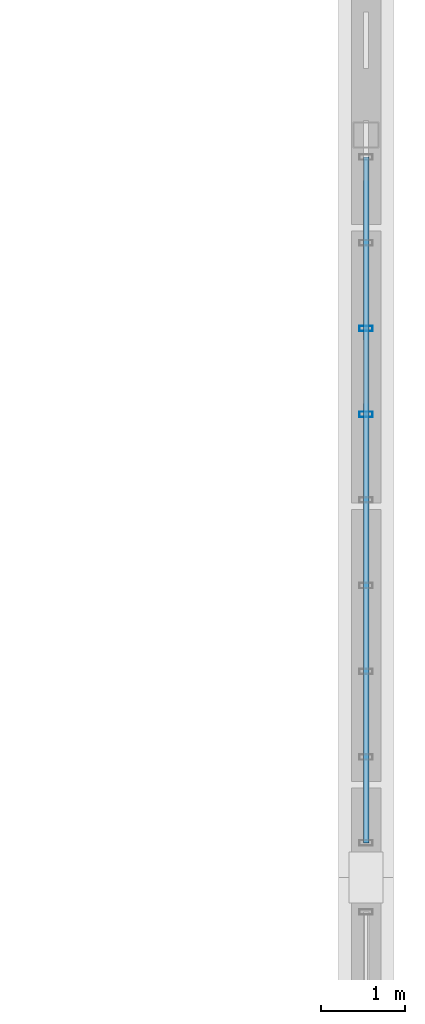
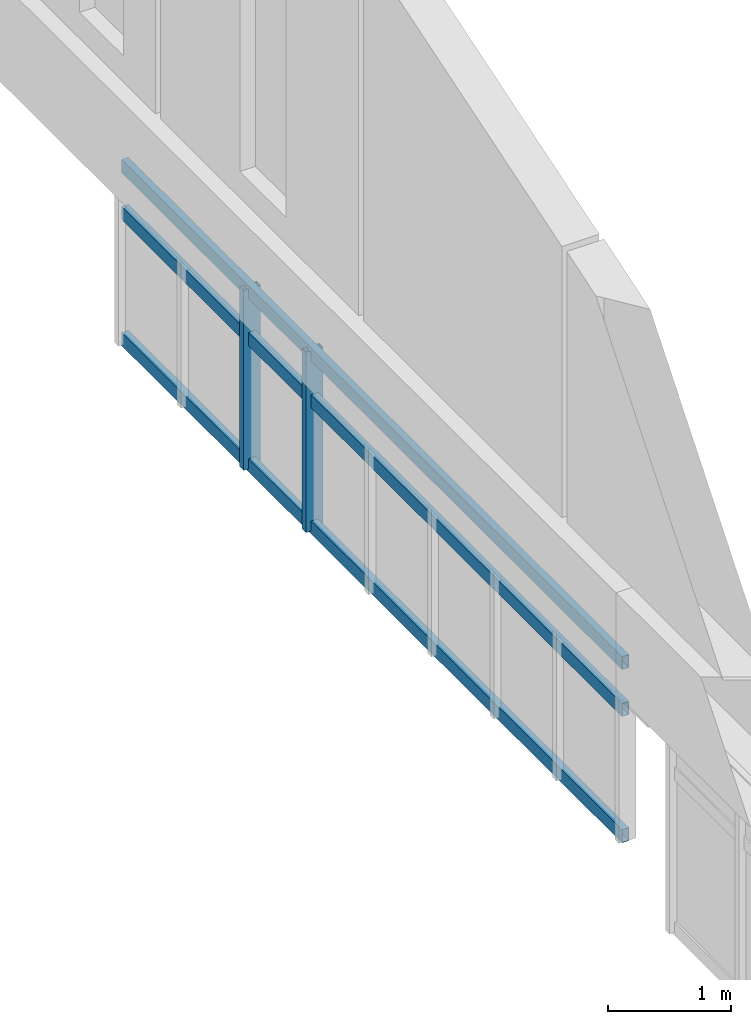
# One storey, part 18 of 65: 5 members, 1 element without a shape of its own.
"""IFC4 building model written with IfcOpenShell, lengths in metres."""

from ifc_helpers import new_model, si_unit, direction, frame, origin, origin_2d, place, context, subcontext, project, spatial, hollow_rectangle, extrude, material, layer, layer_set, material_profile, profile_set, type_object, element, aggregate, save


model = new_model("IFC4")

# Units and contexts
model_context = context("Model", 3, precision=1e-05, world=origin(), true_north=direction((0.0, 1.0)))
body_context = subcontext(model_context, "Body", "Model", "MODEL_VIEW")
ifc_project = project(units=[si_unit("LENGTHUNIT", "METRE"), si_unit("AREAUNIT", "SQUARE_METRE"), si_unit("VOLUMEUNIT", "CUBIC_METRE"), si_unit("PLANEANGLEUNIT", "RADIAN"), si_unit("MASSUNIT", "GRAM", prefix="KILO")], contexts=[model_context])

# Site, building, storey
site_placement = place(None, origin())
site = spatial("IfcSite", under=ifc_project, at=site_placement, CompositionType="ELEMENT")
building_placement = place(site_placement, origin())
building = spatial("IfcBuilding", under=site, at=building_placement, Name="Chalmorin Arch Market", CompositionType="ELEMENT")
storey_placement = place(building_placement, frame((0.0, 0.0, 14.10009765625)))
storey = spatial("IfcBuildingStorey", under=building, at=storey_placement, Name="L03", CompositionType="ELEMENT", Elevation=14.10009765625)

# Curtain wall, members
ifc_material = material(Name="Aluminium 6063-T6", Category="aluminium")
ifc_layer = layer(ifc_material, 0.159912109375)
ifc_layer_set = layer_set([ifc_layer], Name="Aluminium 6063-T6")
curtain_wall_type = type_object("IfcCurtainWallType", Name="GableTympanumCurtainWall-CW4-8130x1780", PredefinedType="NOTDEFINED", material=ifc_layer_set)
curtain_wall_placement = place(storey_placement, origin())
curtain_wall = element("IfcCurtainWall", 1, at=curtain_wall_placement, inside=storey, type_object=curtain_wall_type, Name="CW-04-039", PredefinedType="NOTDEFINED")
ifc_material_profile_1 = material_profile(ifc_material, hollow_rectangle(XDim=0.06494140625, YDim=0.159912109375, WallThickness=0.00390625, at=origin_2d()), Name="ALU65X160X4")
ifc_profile_set_1 = profile_set([ifc_material_profile_1], Name="Aluminium 6063-T6")
member_type_1 = type_object("IfcMemberType", Name="CurtainWallMullion-65x160", PredefinedType="MULLION", material=ifc_profile_set_1)
member_1_placement = place(storey_placement, frame((124.800048828125, 20.289794921875, -1.60009765625), z_axis=(0.0, 0.0, 1.0), x_axis=(0.0, 1.0, 0.0)))
member_1 = element("IfcMember", 2, at=member_1_placement, type_object=member_type_1, Name="ML-039-06", PredefinedType="MULLION", context=body_context, shape_type="SweptSolid", body=[
    extrude(hollow_rectangle(XDim=0.06494140625, YDim=0.159912109375, WallThickness=0.00390625, at=origin_2d()), origin(), (0.0, 0.0, 1.0), 1.784912109375),
])
member_2_placement = place(storey_placement, frame((124.800048828125, 21.3056640625, -1.60009765625), z_axis=(0.0, 0.0, 1.0), x_axis=(0.0, 1.0, 0.0)))
member_2 = element("IfcMember", 3, at=member_2_placement, type_object=member_type_1, Name="ML-039-07", PredefinedType="MULLION", context=body_context, shape_type="SweptSolid", body=[
    extrude(hollow_rectangle(XDim=0.06494140625, YDim=0.159912109375, WallThickness=0.00390625, at=origin_2d()), origin(), (0.0, 0.0, 1.0), 1.784912109375),
])
ifc_material_profile_2 = material_profile(ifc_material, hollow_rectangle(XDim=0.06494140625, YDim=0.1298828125, WallThickness=0.00390625, at=origin_2d()), Name="ALU65X130X4")
ifc_profile_set_2 = profile_set([ifc_material_profile_2], Name="Aluminium 6063-T6")
member_type_2 = type_object("IfcMemberType", Name="CurtainWallTransom-65x130", PredefinedType="USERDEFINED", material=ifc_profile_set_2)
member_3_placement = place(storey_placement, frame((124.800048828125, 15.2099609375, -1.565185546875), z_axis=(0.0, 1.0, 0.0), x_axis=(-1.0, 0.0, 0.0)))
member_3 = element("IfcMember", 4, at=member_3_placement, type_object=member_type_2, Name="TR-039-01", ObjectType="TRANSOM", PredefinedType="USERDEFINED", context=body_context, shape_type="SweptSolid", body=[
    extrude(hollow_rectangle(XDim=0.06494140625, YDim=0.1298828125, WallThickness=0.00390625, at=origin_2d()), origin(), (0.0, 0.0, 1.0), 8.127685546875),
])
member_4_placement = place(storey_placement, frame((124.800048828125, 15.2099609375, -0.31494140625), z_axis=(0.0, 1.0, 0.0), x_axis=(-1.0, 0.0, 0.0)))
member_4 = element("IfcMember", 5, at=member_4_placement, type_object=member_type_2, Name="TR-039-02", ObjectType="TRANSOM", PredefinedType="USERDEFINED", context=body_context, shape_type="SweptSolid", body=[
    extrude(hollow_rectangle(XDim=0.06494140625, YDim=0.1298828125, WallThickness=0.00390625, at=origin_2d()), origin(), (0.0, 0.0, 1.0), 8.127685546875),
])
member_5_placement = place(storey_placement, frame((124.800048828125, 15.2099609375, 0.14990234375), z_axis=(0.0, 1.0, 0.0), x_axis=(-1.0, 0.0, 0.0)))
member_5 = element("IfcMember", 6, at=member_5_placement, type_object=member_type_2, Name="TR-039-03", ObjectType="TRANSOM", PredefinedType="USERDEFINED", context=body_context, shape_type="SweptSolid", body=[
    extrude(hollow_rectangle(XDim=0.06494140625, YDim=0.1298828125, WallThickness=0.00390625, at=origin_2d()), origin(), (0.0, 0.0, 1.0), 8.127685546875),
])
aggregate(curtain_wall, [member_1, member_2, member_3, member_4, member_5])

save(model, "model.ifc")
